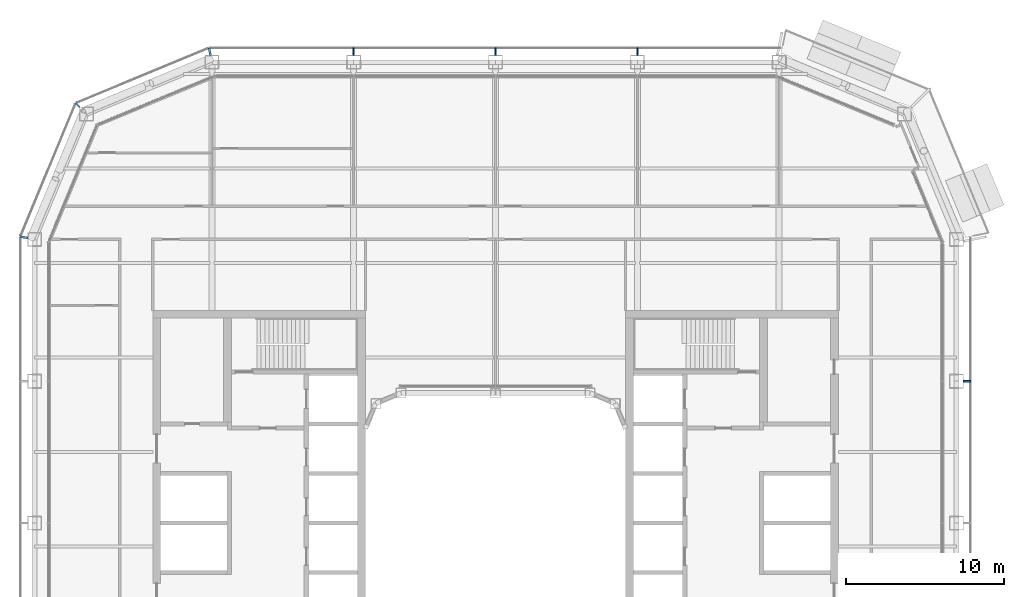
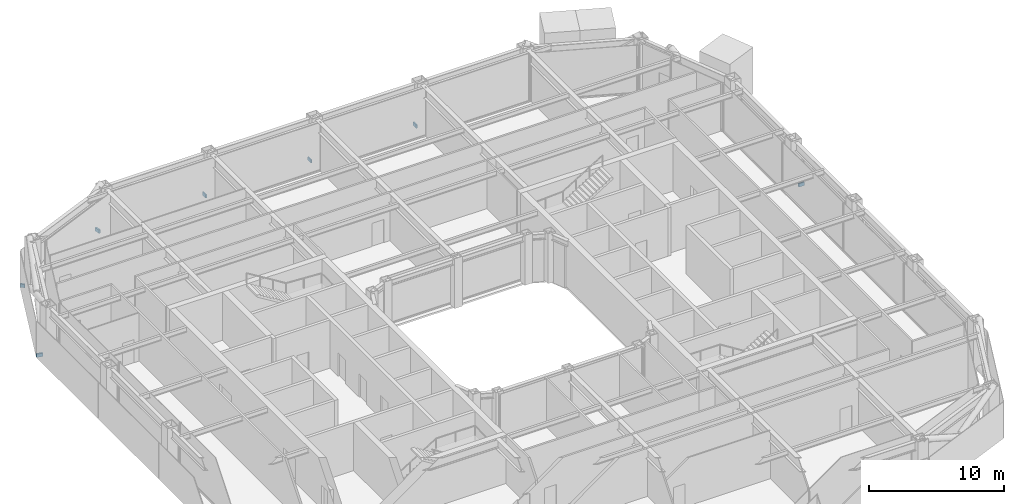
# One storey, part 16 of 23: 7 discrete accessories.
"""IFC4 building model written with IfcOpenShell, lengths in metres."""

import ifcopenshell
import ifcopenshell.guid

model = None  # the IFC model being written
_history = None  # IfcOwnerHistory: only IFC2X3 demands one
_inside = {}  # id of a spatial element -> (the spatial element, [elements in it])
_under = {}  # id of a project, library or spatial element -> (it, [spatial elements below it])
_declared = {}  # id of a project -> (the project, [libraries it declares])
_typed = {}  # id of a type object -> (the type object, [elements of that type])
_made_of = {}  # id of a material, layer set ... -> (it, [elements and type objects made of it])


def new_model(schema):
    """Start an empty IFC model of exactly this schema.

    Asked for "IFC4X3", IfcOpenShell would pick the latest addendum, in which some entities
    have other attributes; the version numbers below select the first issue.
    IFC2X3 requires an IfcOwnerHistory on every rooted entity: one is made here for all.
    """
    global model, _history
    if schema == "IFC4X3":
        model = ifcopenshell.file(schema_version=(4, 3, 0, 0))
    else:
        model = ifcopenshell.file(schema=schema)
    _inside.clear()
    _under.clear()
    _declared.clear()
    _typed.clear()
    _made_of.clear()
    _history = None
    if model.schema == "IFC2X3":
        org = make("IfcOrganization", Name="unknown")
        user = make(
            "IfcPersonAndOrganization",
            ThePerson=make("IfcPerson", FamilyName="unknown"),
            TheOrganization=org,
        )
        app = make(
            "IfcApplication",
            ApplicationDeveloper=org,
            Version="unknown",
            ApplicationFullName="unknown",
            ApplicationIdentifier="unknown",
        )
        _history = make(
            "IfcOwnerHistory",
            OwningUser=user,
            OwningApplication=app,
            ChangeAction="ADDED",
            CreationDate=0,
        )
    return model


def make(cls, **values):
    """One entity of the class cls with the attributes given. An attribute that is None is left unset."""
    return model.create_entity(
        cls, **{name: value for name, value in values.items() if value is not None}
    )


def rooted(cls, **values):
    """An entity with a GlobalId (a new one), such as an element, a storey or a relation."""
    return make(cls, GlobalId=ifcopenshell.guid.new(), OwnerHistory=_history, **values)


def si_unit(unit_type, name, prefix=None):
    """IfcSIUnit, for example si_unit("LENGTHUNIT", "METRE", prefix="MILLI")."""
    return make("IfcSIUnit", UnitType=unit_type, Prefix=prefix, Name=name)


def assignment(units):
    """IfcUnitAssignment: the units of a project."""
    return None if units is None else make("IfcUnitAssignment", Units=units)


def point(xyz):
    """IfcCartesianPoint."""
    return None if xyz is None else make("IfcCartesianPoint", Coordinates=xyz)


def direction(xyz):
    """IfcDirection."""
    return None if xyz is None else make("IfcDirection", DirectionRatios=xyz)


def frame(location, z_axis=None, x_axis=None):
    """IfcAxis2Placement3D, a coordinate frame: its origin and axes. An axis left out is left unset."""
    return make(
        "IfcAxis2Placement3D",
        Location=point(location),
        Axis=direction(z_axis),
        RefDirection=direction(x_axis),
    )


def frame_2d(location, x_axis=None):
    """IfcAxis2Placement2D, a coordinate frame in the plane: its origin and x axis."""
    return make(
        "IfcAxis2Placement2D", Location=point(location), RefDirection=direction(x_axis)
    )


def origin():
    """The frame at (0, 0, 0) with its axes left unset."""
    return frame((0.0, 0.0, 0.0))


def origin_2d():
    """The frame at (0, 0) in the plane with its x axis left unset."""
    return frame_2d((0.0, 0.0))


def place(relative_to, where):
    """IfcLocalPlacement: puts the frame where relative to a parent placement (None: the world)."""
    return make(
        "IfcLocalPlacement", PlacementRelTo=relative_to, RelativePlacement=where
    )


def context(
    kind, dimensions, precision=None, world=None, true_north=None, identifier=None
):
    """IfcGeometricRepresentationContext, for example the 3D "Model" context."""
    return make(
        "IfcGeometricRepresentationContext",
        ContextIdentifier=identifier,
        ContextType=kind,
        CoordinateSpaceDimension=dimensions,
        Precision=precision,
        WorldCoordinateSystem=world,
        TrueNorth=true_north,
    )


def subcontext(parent, identifier, kind, view, scale=None):
    """IfcGeometricRepresentationSubContext, for example "Body" below "Model"."""
    return make(
        "IfcGeometricRepresentationSubContext",
        ContextIdentifier=identifier,
        ContextType=kind,
        ParentContext=parent,
        TargetScale=scale,
        TargetView=view,
    )


def project(units=None, contexts=None):
    """IfcProject with its units and contexts."""
    return rooted(
        "IfcProject",
        Name="project",
        RepresentationContexts=contexts,
        UnitsInContext=assignment(units),
    )


def spatial(cls, under=None, at=None, **own):
    """A site, building, storey or space (cls), placed at a placement, below another one or the project."""
    s = rooted(cls, ObjectPlacement=at, **own)
    if under is not None:
        _under.setdefault(under.id(), (under, []))[1].append(s)
    return s


def profile(cls, at=None, kind="AREA", **sizes):
    """A parametric profile (cls). Its sizes go by their IFC names, for example OverallWidth=200.0."""
    return make(cls, ProfileType=kind, Position=at, **sizes)


def rectangle(**sizes):
    """IfcRectangleProfileDef."""
    return profile("IfcRectangleProfileDef", **sizes)


def extrude(swept, where, along, depth):
    """IfcExtrudedAreaSolid: the profile swept, set in the frame where, extruded along a direction by depth."""
    return make(
        "IfcExtrudedAreaSolid",
        SweptArea=swept,
        Position=where,
        ExtrudedDirection=direction(along),
        Depth=depth,
    )


def shape(context_of_items, identifier, shape_type, items):
    """IfcShapeRepresentation: the items that make up one representation, for example the "Body"."""
    return make(
        "IfcShapeRepresentation",
        ContextOfItems=context_of_items,
        RepresentationIdentifier=identifier,
        RepresentationType=shape_type,
        Items=items,
    )


def material(Name=None, Category=None):
    """IfcMaterial."""
    return make("IfcMaterial", Name=Name, Category=Category)


def made_of(thing, what):
    """Note that an element or type object is made of a material, layer set ...; save() writes the relation."""
    if what is not None:
        _made_of.setdefault(what.id(), (what, []))[1].append(thing)
    return thing


def type_object(cls, material=None, **own):
    """A type object (cls), such as IfcWallType, which elements share."""
    return made_of(rooted(cls, **own), material)


def element(
    cls,
    number,
    at=None,
    inside=None,
    cuts=None,
    type_object=None,
    material=None,
    context=None,
    identifier="Body",
    shape_type=None,
    held_by="IfcProductDefinitionShape",
    body=None,
    shapes=None,
    **own,
):
    """One element of the class cls, such as IfcWall. Its Tag is "e" and its number.

    at: its placement. inside: the storey or other place that contains it. cuts: it is an
    opening in that element (IfcRelVoidsElement). A single representation is given by context,
    identifier, shape_type and body (its items); several are given by shapes. held_by: the class
    of the entity that holds the representations. save() writes the other relations.
    """
    e = rooted(cls, Tag="e%d" % number, ObjectPlacement=at, **own)
    if body is not None:
        shapes = [shape(context, identifier, shape_type, body)]
    if shapes is not None:
        e.Representation = make(held_by, Representations=shapes)
    if inside is not None:
        _inside.setdefault(inside.id(), (inside, []))[1].append(e)
    if cuts is not None:
        rooted(
            "IfcRelVoidsElement", RelatingBuildingElement=cuts, RelatedOpeningElement=e
        )
    if type_object is not None:
        _typed.setdefault(type_object.id(), (type_object, []))[1].append(e)
    return made_of(e, material)


def aggregate(whole, parts):
    """IfcRelAggregates: a whole, such as a stair, and the parts it consists of."""
    return rooted("IfcRelAggregates", RelatingObject=whole, RelatedObjects=parts)


def save(model, path):
    """Write the relations noted so far, then the file.

    IfcRelAggregates (storeys below a building ...), IfcRelContainedInSpatialStructure (elements
    in a storey), IfcRelDefinesByType, IfcRelAssociatesMaterial and IfcRelDeclares: one each for
    every whole, place, type object, material and project.
    """
    for whole, parts in _under.values():
        aggregate(whole, parts)
    for where, things in _inside.values():
        rooted(
            "IfcRelContainedInSpatialStructure",
            RelatedElements=things,
            RelatingStructure=where,
        )
    for kind, things in _typed.values():
        rooted("IfcRelDefinesByType", RelatedObjects=things, RelatingType=kind)
    for what, things in _made_of.values():
        rooted("IfcRelAssociatesMaterial", RelatedObjects=things, RelatingMaterial=what)
    for by, libraries in _declared.values():
        rooted("IfcRelDeclares", RelatingContext=by, RelatedDefinitions=libraries)
    model.write(path)


model = new_model("IFC4")

# Units and contexts
model_context = context("Model", 3, precision=1e-05, world=origin(), true_north=direction((0.0, 1.0)))
body_context = subcontext(model_context, "Body", "Model", "MODEL_VIEW")
ifc_project = project(units=[si_unit("LENGTHUNIT", "METRE"), si_unit("AREAUNIT", "SQUARE_METRE"), si_unit("VOLUMEUNIT", "CUBIC_METRE"), si_unit("PLANEANGLEUNIT", "RADIAN"), si_unit("MASSUNIT", "GRAM", prefix="KILO")], contexts=[model_context])

# Site, building, storey
site_placement = place(None, origin())
site = spatial("IfcSite", under=ifc_project, at=site_placement, CompositionType="ELEMENT")
building_placement = place(site_placement, origin())
building = spatial("IfcBuilding", under=site, at=building_placement, Name="Siwar Civic Tower", CompositionType="ELEMENT")
storey_placement = place(building_placement, frame((0.0, 0.0, 167.699951171875)))
storey = spatial("IfcBuildingStorey", under=building, at=storey_placement, Name="L36", CompositionType="ELEMENT", Elevation=167.699951171875)

# Discrete accessories
ifc_material = material(Name="Stainless steel 316", Category="steel")
discrete_accessory_type = type_object("IfcDiscreteAccessoryType", Name="ENV-BRACKET", PredefinedType="BRACKET", material=ifc_material)
for number, where, z_axis, x_axis, name in (
    (1, (29.9150390625, 9.0, -0.14990234375), (0.0, 0.0, 1.0), (1.0, 0.0, 0.0), "Bracket outer skin joint E-03"),
    (2, (9.0, 29.9150390625, -0.14990234375), (0.0, 0.0, 1.0), (0.0, 1.0, 0.0), "Bracket outer skin joint N-01"),
    (3, (0.0, 29.9150390625, -0.14990234375), (0.0, 0.0, 1.0), (0.0, 1.0, 0.0), "Bracket outer skin joint N-02"),
    (4, (-9.0, 29.9150390625, -0.14990234375), (0.0, 0.0, 1.0), (0.0, 1.0, 0.0), "Bracket outer skin joint N-03"),
):
    element("IfcDiscreteAccessory", number, at=place(storey_placement, frame(where, z_axis=z_axis, x_axis=x_axis)), inside=storey, type_object=discrete_accessory_type, Name=name, PredefinedType="BRACKET", context=body_context, shape_type="SweptSolid", body=[
        extrude(rectangle(XDim=0.469970703125, YDim=0.10009765625, at=origin_2d()), origin(), (0.0, 0.0, 1.0), 0.300048828125),
    ])
discrete_accessory_1_placement = place(storey_placement, frame((-18.13232421875, 29.915283203125, -0.14990234375), z_axis=(0.0, 0.0, 1.0), x_axis=(-0.195090322016, 0.980785280403, 0.0)))
element("IfcDiscreteAccessory", 5, at=discrete_accessory_1_placement, inside=storey, type_object=discrete_accessory_type, Name="Bracket outer skin joint V07", PredefinedType="BRACKET", context=body_context, shape_type="SweptSolid", body=[
    extrude(rectangle(XDim=0.478759765625, YDim=0.13720703125, at=origin_2d()), origin(), (0.0, 0.0, 1.0), 0.300048828125),
])
discrete_accessory_2_placement = place(storey_placement, frame((-26.517333984375, 26.517333984375, -0.14990234375), z_axis=(0.0, 0.0, 1.0), x_axis=(-0.707106781187, 0.707106781187, 0.0)))
element("IfcDiscreteAccessory", 6, at=discrete_accessory_2_placement, inside=storey, type_object=discrete_accessory_type, Name="Bracket outer skin joint V08", PredefinedType="BRACKET", context=body_context, shape_type="SweptSolid", body=[
    extrude(rectangle(XDim=0.357666015625, YDim=0.12939453125, at=origin_2d()), origin(), (0.0, 0.0, 1.0), 0.300048828125),
])
discrete_accessory_3_placement = place(storey_placement, frame((-29.915283203125, 18.13232421875, -0.14990234375), z_axis=(0.0, 0.0, 1.0), x_axis=(-0.980785280403, 0.195090322016, 0.0)))
element("IfcDiscreteAccessory", 7, at=discrete_accessory_3_placement, inside=storey, type_object=discrete_accessory_type, Name="Bracket outer skin joint V09", PredefinedType="BRACKET", context=body_context, shape_type="SweptSolid", body=[
    extrude(rectangle(XDim=0.478759765625, YDim=0.13720703125, at=origin_2d()), origin(), (0.0, 0.0, 1.0), 0.300048828125),
])

save(model, "model.ifc")
